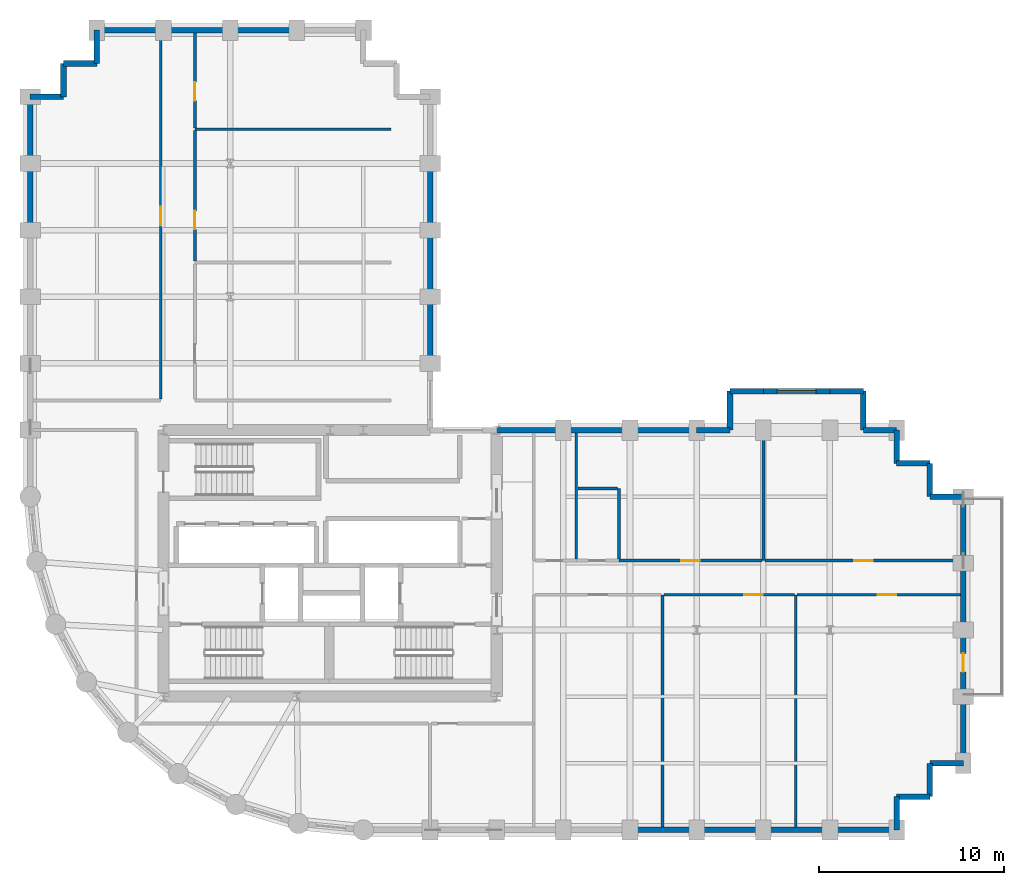
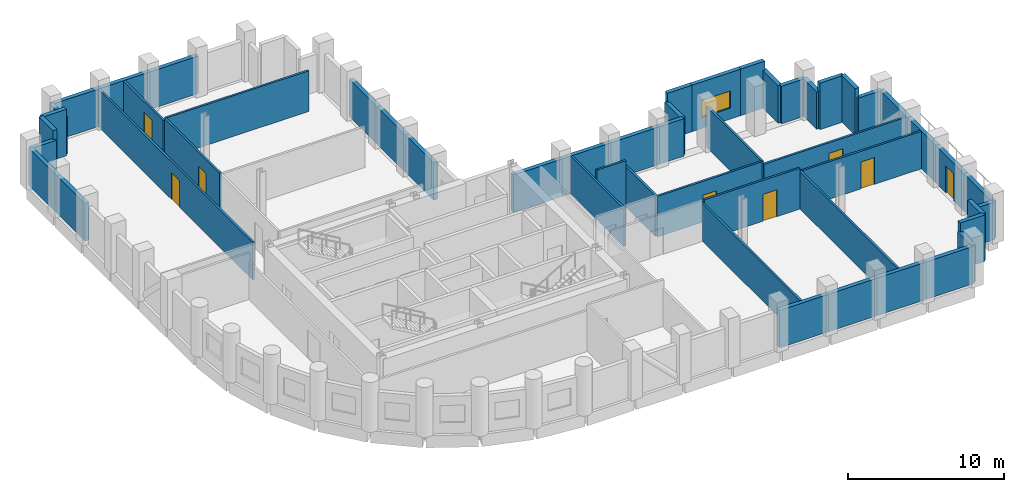
# One storey, part 5 of 8: 52 walls, 8 doors, 1 window, 9 openings.
"""IFC4 building model written with IfcOpenShell, lengths in metres."""

from ifc_helpers import new_model, si_unit, direction, frame, frame_2d, origin, place, context, subcontext, project, spatial, rectangle, extrude, material, layer, layer_set, type_object, element, fill, save


model = new_model("IFC4")

# Units and contexts
model_context = context("Model", 3, precision=1e-05, world=origin(), true_north=direction((0.0, 1.0)))
body_context = subcontext(model_context, "Body", "Model", "MODEL_VIEW")
ifc_project = project(units=[si_unit("LENGTHUNIT", "METRE"), si_unit("AREAUNIT", "SQUARE_METRE"), si_unit("VOLUMEUNIT", "CUBIC_METRE"), si_unit("PLANEANGLEUNIT", "RADIAN"), si_unit("MASSUNIT", "GRAM", prefix="KILO")], contexts=[model_context])

# Site, building, storey
site_placement = place(None, origin())
site = spatial("IfcSite", under=ifc_project, at=site_placement, CompositionType="ELEMENT")
building_placement = place(site_placement, origin())
building = spatial("IfcBuilding", under=site, at=building_placement, Name="Solnavia Interchange Tower", CompositionType="ELEMENT")
storey_placement = place(building_placement, frame((0.0, 0.0, 107.39990234375)))
storey = spatial("IfcBuildingStorey", under=building, at=storey_placement, Name="L26", CompositionType="ELEMENT", Elevation=107.39990234375)

# Walls
ifc_material_1 = material(Name="Concrete C40/50", Category="concrete")
ifc_layer_1 = layer(ifc_material_1, 0.300048828125)
ifc_layer_set_1 = layer_set([ifc_layer_1], Name="Concrete C40/50")
wall_type_1 = type_object("IfcWallType", Name="Wall-ExtSpandrel-300", PredefinedType="STANDARD", material=ifc_layer_set_1)
wall_1_placement = place(storey_placement, frame((43.199951171875, 3.60009765625, 0.0), z_axis=(0.0, 0.0, 1.0), x_axis=(-1.0, 0.0, 0.0)))
element("IfcWall", 1, at=wall_1_placement, inside=storey, type_object=wall_type_1, Name="EXW-L26-05 Exterior precast spandrel wall", PredefinedType="STANDARD", context=body_context, shape_type="SweptSolid", body=[
    extrude(rectangle(XDim=3.599853515625, YDim=0.300048828125, at=frame_2d((1.7998046875, 0.0))), origin(), (0.0, 0.0, 1.0), 2.93017578125),
])
wall_2_placement = place(storey_placement, frame((46.800048828125, 3.60009765625, 0.0), z_axis=(0.0, 0.0, 1.0), x_axis=(-1.0, 0.0, 0.0)))
element("IfcWall", 2, at=wall_2_placement, inside=storey, type_object=wall_type_1, Name="EXW-L26-06 Exterior precast spandrel wall", PredefinedType="STANDARD", context=body_context, shape_type="SweptSolid", body=[
    extrude(rectangle(XDim=3.60009765625, YDim=0.300048828125, at=frame_2d((1.800048828125, 0.0))), origin(), (0.0, 0.0, 1.0), 2.93017578125),
])
wall_3_placement = place(storey_placement, frame((50.39990234375, 3.60009765625, 0.0), z_axis=(0.0, 0.0, 1.0), x_axis=(-1.0, 0.0, 0.0)))
element("IfcWall", 3, at=wall_3_placement, inside=storey, type_object=wall_type_1, Name="EXW-L26-07 Exterior precast spandrel wall", PredefinedType="STANDARD", context=body_context, shape_type="SweptSolid", body=[
    extrude(rectangle(XDim=3.599853515625, YDim=0.300048828125, at=frame_2d((1.7998046875, 0.0))), origin(), (0.0, 0.0, 1.0), 2.93017578125),
])
wall_4_placement = place(storey_placement, frame((54.0, 3.60009765625, 0.0), z_axis=(0.0, 0.0, 1.0), x_axis=(-1.0, 0.0, 0.0)))
element("IfcWall", 4, at=wall_4_placement, inside=storey, type_object=wall_type_1, Name="EXW-L26-08 Exterior precast spandrel wall", PredefinedType="STANDARD", context=body_context, shape_type="SweptSolid", body=[
    extrude(rectangle(XDim=3.60009765625, YDim=0.300048828125, at=frame_2d((1.800048828125, 0.0))), origin(), (0.0, 0.0, 1.0), 2.93017578125),
])
wall_5_placement = place(storey_placement, frame((54.0, 5.39990234375, 0.0), z_axis=(0.0, 0.0, 1.0), x_axis=(0.0, -1.0, 0.0)))
element("IfcWall", 5, at=wall_5_placement, inside=storey, type_object=wall_type_1, Name="EXW-L26-09 Exterior precast spandrel wall", PredefinedType="STANDARD", context=body_context, shape_type="SweptSolid", body=[
    extrude(rectangle(XDim=1.7998046875, YDim=0.300048828125, at=frame_2d((0.89990234375, 0.0))), origin(), (0.0, 0.0, 1.0), 2.93017578125),
])
for number, where, z_axis, x_axis, name in (
    (6, (55.800048828125, 5.39990234375, 0.0), (0.0, 0.0, 1.0), (-1.0, 0.0, 0.0), "EXW-L26-10 Exterior precast spandrel wall"),
    (7, (55.800048828125, 7.199951171875, 0.0), (0.0, 0.0, 1.0), (0.0, -1.0, 0.0), "EXW-L26-11 Exterior precast spandrel wall"),
):
    element("IfcWall", number, at=place(storey_placement, frame(where, z_axis=z_axis, x_axis=x_axis)), inside=storey, type_object=wall_type_1, Name=name, PredefinedType="STANDARD", context=body_context, shape_type="SweptSolid", body=[
        extrude(rectangle(XDim=1.800048828125, YDim=0.300048828125, at=frame_2d((0.89990234375, 0.0))), origin(), (0.0, 0.0, 1.0), 3.635009765625),
    ])
wall_6_placement = place(storey_placement, frame((57.60009765625, 7.199951171875, 0.0), z_axis=(0.0, 0.0, 1.0), x_axis=(-1.0, 0.0, 0.0)))
element("IfcWall", 8, at=wall_6_placement, inside=storey, type_object=wall_type_1, Name="EXW-L26-12 Exterior precast spandrel wall", PredefinedType="STANDARD", context=body_context, shape_type="SweptSolid", body=[
    extrude(rectangle(XDim=1.800048828125, YDim=0.300048828125, at=frame_2d((0.89990234375, 0.0))), origin(), (0.0, 0.0, 1.0), 2.93017578125),
])
wall_7_placement = place(storey_placement, frame((57.60009765625, 10.800048828125, 0.0), z_axis=(0.0, 0.0, 1.0), x_axis=(0.0, -1.0, 0.0)))
element("IfcWall", 9, at=wall_7_placement, inside=storey, type_object=wall_type_1, Name="EXW-L26-13 Exterior precast spandrel wall", PredefinedType="STANDARD", context=body_context, shape_type="SweptSolid", body=[
    extrude(rectangle(XDim=3.60009765625, YDim=0.300048828125, at=frame_2d((1.800048828125, 0.0))), origin(), (0.0, 0.0, 1.0), 2.93017578125),
])

# Wall, opening, door
wall_8_placement = place(storey_placement, frame((57.60009765625, 14.39990234375, 0.0), z_axis=(0.0, 0.0, 1.0), x_axis=(0.0, -1.0, 0.0)))
wall_8 = element("IfcWall", 10, at=wall_8_placement, inside=storey, type_object=wall_type_1, Name="EXW-L26-14 Exterior precast spandrel wall", PredefinedType="STANDARD", context=body_context, shape_type="SweptSolid", body=[
    extrude(rectangle(XDim=3.599853515625, YDim=0.300048828125, at=frame_2d((1.7998046875, 0.0))), origin(), (0.0, 0.0, 1.0), 2.93017578125),
])
opening_1_placement = place(wall_8_placement, frame((1.260986328125, 0.0, 0.0)))
opening_1 = element("IfcOpeningElement", 11, at=opening_1_placement, cuts=wall_8, Name="Opening EXD-05", PredefinedType="OPENING", context=body_context, shape_type="SweptSolid", body=[
    extrude(rectangle(XDim=1.0, YDim=2.10009765625, at=frame_2d((0.5, 1.050048828125))), frame((0.0, 0.16015625, 0.0), z_axis=(0.0, -1.0, 0.0), x_axis=(1.0, 0.0, 0.0)), (0.0, 0.0, 1.0), 0.320068359375),
])
ifc_material_2 = material(Name="Thermally Broken Aluminium & Laminated Glass", Category="aluminium")
door_type_1 = type_object("IfcDoorType", Name="Door-TerraceSingle-1000x2100", OperationType="SINGLE_SWING_LEFT", PredefinedType="DOOR", material=ifc_material_2)
door_1_placement = place(opening_1_placement, origin())
door_1 = element("IfcDoor", 12, at=door_1_placement, inside=storey, type_object=door_type_1, Name="EXD-L26-TER Spiral terrace glazed door", OperationType="SINGLE_SWING_LEFT", OverallHeight=2.10009765625, OverallWidth=1.0, PredefinedType="DOOR", context=body_context, shape_type="SweptSolid", body=[
    extrude(rectangle(XDim=1.0, YDim=2.10009765625, at=frame_2d((0.5, 1.050048828125))), frame((0.0, 0.02490234375, 0.0), z_axis=(0.0, -1.0, 0.0), x_axis=(1.0, 0.0, 0.0)), (0.0, 0.0, 1.0), 0.050048828125),
])
fill(opening_1, door_1)

# Walls
for number, where, z_axis, x_axis, name in (
    (13, (57.60009765625, 18.0, 0.0), (0.0, 0.0, 1.0), (0.0, -1.0, 0.0), "EXW-L26-15 Exterior precast spandrel wall"),
    (14, (57.60009765625, 21.60009765625, 0.0), (0.0, 0.0, 1.0), (0.0, -1.0, 0.0), "EXW-L26-16 Exterior precast spandrel wall"),
):
    element("IfcWall", number, at=place(storey_placement, frame(where, z_axis=z_axis, x_axis=x_axis)), inside=storey, type_object=wall_type_1, Name=name, PredefinedType="STANDARD", context=body_context, shape_type="SweptSolid", body=[
        extrude(rectangle(XDim=3.60009765625, YDim=0.300048828125, at=frame_2d((1.800048828125, 0.0))), origin(), (0.0, 0.0, 1.0), 2.93017578125),
    ])
wall_9_placement = place(storey_placement, frame((55.800048828125, 21.60009765625, 0.0), z_axis=(0.0, 0.0, 1.0), x_axis=(1.0, 0.0, 0.0)))
element("IfcWall", 15, at=wall_9_placement, inside=storey, type_object=wall_type_1, Name="EXW-L26-17 Exterior precast spandrel wall", PredefinedType="STANDARD", context=body_context, shape_type="SweptSolid", body=[
    extrude(rectangle(XDim=1.800048828125, YDim=0.300048828125, at=frame_2d((0.89990234375, 0.0))), origin(), (0.0, 0.0, 1.0), 2.93017578125),
])
wall_10_placement = place(storey_placement, frame((55.800048828125, 23.39990234375, 0.0), z_axis=(0.0, 0.0, 1.0), x_axis=(0.0, -1.0, 0.0)))
element("IfcWall", 16, at=wall_10_placement, inside=storey, type_object=wall_type_1, Name="EXW-L26-18 Exterior precast spandrel wall", PredefinedType="STANDARD", context=body_context, shape_type="SweptSolid", body=[
    extrude(rectangle(XDim=1.7998046875, YDim=0.300048828125, at=frame_2d((0.89990234375, 0.0))), origin(), (0.0, 0.0, 1.0), 3.635009765625),
])
wall_11_placement = place(storey_placement, frame((54.0, 23.39990234375, 0.0), z_axis=(0.0, 0.0, 1.0), x_axis=(1.0, 0.0, 0.0)))
element("IfcWall", 17, at=wall_11_placement, inside=storey, type_object=wall_type_1, Name="EXW-L26-19 Exterior precast spandrel wall", PredefinedType="STANDARD", context=body_context, shape_type="SweptSolid", body=[
    extrude(rectangle(XDim=1.800048828125, YDim=0.300048828125, at=frame_2d((0.89990234375, 0.0))), origin(), (0.0, 0.0, 1.0), 3.635009765625),
])
for number, where, z_axis, x_axis, name in (
    (18, (54.0, 25.199951171875, 0.0), (0.0, 0.0, 1.0), (0.0, -1.0, 0.0), "EXW-L26-20 Exterior precast spandrel wall"),
    (19, (52.199951171875, 25.199951171875, 0.0), (0.0, 0.0, 1.0), (1.0, 0.0, 0.0), "EXW-L26-21 Exterior precast spandrel wall"),
):
    element("IfcWall", number, at=place(storey_placement, frame(where, z_axis=z_axis, x_axis=x_axis)), inside=storey, type_object=wall_type_1, Name=name, PredefinedType="STANDARD", context=body_context, shape_type="SweptSolid", body=[
        extrude(rectangle(XDim=1.800048828125, YDim=0.300048828125, at=frame_2d((0.89990234375, 0.0))), origin(), (0.0, 0.0, 1.0), 2.93017578125),
    ])
wall_12_placement = place(storey_placement, frame((52.199951171875, 27.300048828125, 0.0), z_axis=(0.0, 0.0, 1.0), x_axis=(0.0, -1.0, 0.0)))
element("IfcWall", 20, at=wall_12_placement, inside=storey, type_object=wall_type_1, Name="EXW-L26-22 Exterior precast spandrel wall", PredefinedType="STANDARD", context=body_context, shape_type="SweptSolid", body=[
    extrude(rectangle(XDim=2.10009765625, YDim=0.300048828125, at=frame_2d((1.050048828125, 0.0))), origin(), (0.0, 0.0, 1.0), 2.93017578125),
])
wall_13_placement = place(storey_placement, frame((50.39990234375, 27.300048828125, 0.0), z_axis=(0.0, 0.0, 1.0), x_axis=(1.0, 0.0, 0.0)))
element("IfcWall", 21, at=wall_13_placement, inside=storey, type_object=wall_type_1, Name="EXW-L26-23 Exterior precast spandrel wall", PredefinedType="STANDARD", context=body_context, shape_type="SweptSolid", body=[
    extrude(rectangle(XDim=1.800048828125, YDim=0.300048828125, at=frame_2d((0.89990234375, 0.0))), origin(), (0.0, 0.0, 1.0), 3.635009765625),
])

# Wall, opening, window
wall_14_placement = place(storey_placement, frame((46.800048828125, 27.300048828125, 0.0), z_axis=(0.0, 0.0, 1.0), x_axis=(1.0, 0.0, 0.0)))
wall_14 = element("IfcWall", 22, at=wall_14_placement, inside=storey, type_object=wall_type_1, Name="EXW-L26-24 Exterior precast spandrel wall", PredefinedType="STANDARD", context=body_context, shape_type="SweptSolid", body=[
    extrude(rectangle(XDim=3.599853515625, YDim=0.300048828125, at=frame_2d((1.7998046875, 0.0))), origin(), (0.0, 0.0, 1.0), 3.635009765625),
])
opening_2_placement = place(wall_14_placement, frame((0.75, 0.0, 0.85009765625)))
opening_2 = element("IfcOpeningElement", 23, at=opening_2_placement, cuts=wall_14, Name="Opening WIN-01", PredefinedType="OPENING", context=body_context, shape_type="SweptSolid", body=[
    extrude(rectangle(XDim=2.10009765625, YDim=1.35009765625, at=frame_2d((1.050048828125, 0.675048828125))), frame((0.0, 0.16015625, 0.0), z_axis=(0.0, -1.0, 0.0), x_axis=(1.0, 0.0, 0.0)), (0.0, 0.0, 1.0), 0.320068359375),
])
ifc_material_3 = material(Name="Thermal-Break Aluminium & Low-E Glass", Category="aluminium")
window_type = type_object("IfcWindowType", Name="Window-Ribbon-2100x1350", PartitioningType="SINGLE_PANEL", PredefinedType="WINDOW", material=ifc_material_3)
window_placement = place(opening_2_placement, origin())
window = element("IfcWindow", 24, at=window_placement, inside=storey, type_object=window_type, Name="WIN-L26-24 Facade ribbon window", OverallHeight=1.35009765625, OverallWidth=2.10009765625, PartitioningType="SINGLE_PANEL", PredefinedType="WINDOW", context=body_context, shape_type="SweptSolid", body=[
    extrude(rectangle(XDim=2.10009765625, YDim=1.35009765625, at=frame_2d((1.050048828125, 0.675048828125))), frame((0.0, 0.030029296875, 0.0), z_axis=(0.0, -1.0, 0.0), x_axis=(1.0, 0.0, 0.0)), (0.0, 0.0, 1.0), 0.06005859375),
])
fill(opening_2, window)

# Walls
wall_15_placement = place(storey_placement, frame((45.0, 27.300048828125, 0.0), z_axis=(0.0, 0.0, 1.0), x_axis=(1.0, 0.0, 0.0)))
element("IfcWall", 25, at=wall_15_placement, inside=storey, type_object=wall_type_1, Name="EXW-L26-25 Exterior precast spandrel wall", PredefinedType="STANDARD", context=body_context, shape_type="SweptSolid", body=[
    extrude(rectangle(XDim=1.800048828125, YDim=0.300048828125, at=frame_2d((0.89990234375, 0.0))), origin(), (0.0, 0.0, 1.0), 3.635009765625),
])
wall_16_placement = place(storey_placement, frame((45.0, 27.300048828125, 0.0), z_axis=(0.0, 0.0, 1.0), x_axis=(0.0, -1.0, 0.0)))
element("IfcWall", 26, at=wall_16_placement, inside=storey, type_object=wall_type_1, Name="EXW-L26-26 Exterior precast spandrel wall", PredefinedType="STANDARD", context=body_context, shape_type="SweptSolid", body=[
    extrude(rectangle(XDim=2.10009765625, YDim=0.300048828125, at=frame_2d((1.050048828125, 0.0))), origin(), (0.0, 0.0, 1.0), 2.93017578125),
])
wall_17_placement = place(storey_placement, frame((43.199951171875, 25.199951171875, 0.0), z_axis=(0.0, 0.0, 1.0), x_axis=(1.0, 0.0, 0.0)))
element("IfcWall", 27, at=wall_17_placement, inside=storey, type_object=wall_type_1, Name="EXW-L26-27 Exterior precast spandrel wall", PredefinedType="STANDARD", context=body_context, shape_type="SweptSolid", body=[
    extrude(rectangle(XDim=1.800048828125, YDim=0.300048828125, at=frame_2d((0.89990234375, 0.0))), origin(), (0.0, 0.0, 1.0), 2.93017578125),
])
wall_18_placement = place(storey_placement, frame((39.60009765625, 25.199951171875, 0.0), z_axis=(0.0, 0.0, 1.0), x_axis=(1.0, 0.0, 0.0)))
element("IfcWall", 28, at=wall_18_placement, inside=storey, type_object=wall_type_1, Name="EXW-L26-28 Exterior precast spandrel wall", PredefinedType="STANDARD", context=body_context, shape_type="SweptSolid", body=[
    extrude(rectangle(XDim=3.599853515625, YDim=0.300048828125, at=frame_2d((1.7998046875, 0.0))), origin(), (0.0, 0.0, 1.0), 2.93017578125),
])
for number, where, z_axis, x_axis, name in (
    (29, (36.0, 25.199951171875, 0.0), (0.0, 0.0, 1.0), (1.0, 0.0, 0.0), "EXW-L26-29 Exterior precast spandrel wall"),
    (30, (32.39990234375, 25.199951171875, 0.0), (0.0, 0.0, 1.0), (1.0, 0.0, 0.0), "EXW-L26-30 Exterior precast spandrel wall"),
):
    element("IfcWall", number, at=place(storey_placement, frame(where, z_axis=z_axis, x_axis=x_axis)), inside=storey, type_object=wall_type_1, Name=name, PredefinedType="STANDARD", context=body_context, shape_type="SweptSolid", body=[
        extrude(rectangle(XDim=3.60009765625, YDim=0.300048828125, at=frame_2d((1.800048828125, 0.0))), origin(), (0.0, 0.0, 1.0), 2.93017578125),
    ])
wall_19_placement = place(storey_placement, frame((28.800048828125, 28.800048828125, 0.0), z_axis=(0.0, 0.0, 1.0), x_axis=(0.0, 1.0, 0.0)))
element("IfcWall", 31, at=wall_19_placement, inside=storey, type_object=wall_type_1, Name="EXW-L26-33 Exterior precast spandrel wall", PredefinedType="STANDARD", context=body_context, shape_type="SweptSolid", body=[
    extrude(rectangle(XDim=3.599853515625, YDim=0.300048828125, at=frame_2d((1.7998046875, 0.0))), origin(), (0.0, 0.0, 1.0), 2.93017578125),
])
for number, where, z_axis, x_axis, name in (
    (32, (28.800048828125, 32.39990234375, 0.0), (0.0, 0.0, 1.0), (0.0, 1.0, 0.0), "EXW-L26-34 Exterior precast spandrel wall"),
    (33, (28.800048828125, 36.0, 0.0), (0.0, 0.0, 1.0), (0.0, 1.0, 0.0), "EXW-L26-35 Exterior precast spandrel wall"),
    (34, (18.0, 46.800048828125, 0.0), (0.0, 0.0, 1.0), (1.0, 0.0, 0.0), "EXW-L26-42 Exterior precast spandrel wall"),
    (35, (14.39990234375, 46.800048828125, 0.0), (0.0, 0.0, 1.0), (1.0, 0.0, 0.0), "EXW-L26-43 Exterior precast spandrel wall"),
):
    element("IfcWall", number, at=place(storey_placement, frame(where, z_axis=z_axis, x_axis=x_axis)), inside=storey, type_object=wall_type_1, Name=name, PredefinedType="STANDARD", context=body_context, shape_type="SweptSolid", body=[
        extrude(rectangle(XDim=3.60009765625, YDim=0.300048828125, at=frame_2d((1.800048828125, 0.0))), origin(), (0.0, 0.0, 1.0), 2.93017578125),
    ])
wall_20_placement = place(storey_placement, frame((10.800048828125, 46.800048828125, 0.0), z_axis=(0.0, 0.0, 1.0), x_axis=(1.0, 0.0, 0.0)))
element("IfcWall", 36, at=wall_20_placement, inside=storey, type_object=wall_type_1, Name="EXW-L26-44 Exterior precast spandrel wall", PredefinedType="STANDARD", context=body_context, shape_type="SweptSolid", body=[
    extrude(rectangle(XDim=3.599853515625, YDim=0.300048828125, at=frame_2d((1.7998046875, 0.0))), origin(), (0.0, 0.0, 1.0), 2.93017578125),
])
wall_21_placement = place(storey_placement, frame((10.800048828125, 45.0, 0.0), z_axis=(0.0, 0.0, 1.0), x_axis=(0.0, 1.0, 0.0)))
element("IfcWall", 37, at=wall_21_placement, inside=storey, type_object=wall_type_1, Name="EXW-L26-45 Exterior precast spandrel wall", PredefinedType="STANDARD", context=body_context, shape_type="SweptSolid", body=[
    extrude(rectangle(XDim=1.800048828125, YDim=0.300048828125, at=frame_2d((0.89990234375, 0.0))), origin(), (0.0, 0.0, 1.0), 2.93017578125),
])
for number, where, z_axis, x_axis, name in (
    (38, (9.0, 45.0, 0.0), (0.0, 0.0, 1.0), (1.0, 0.0, 0.0), "EXW-L26-46 Exterior precast spandrel wall"),
    (39, (9.0, 43.199951171875, 0.0), (0.0, 0.0, 1.0), (0.0, 1.0, 0.0), "EXW-L26-47 Exterior precast spandrel wall"),
):
    element("IfcWall", number, at=place(storey_placement, frame(where, z_axis=z_axis, x_axis=x_axis)), inside=storey, type_object=wall_type_1, Name=name, PredefinedType="STANDARD", context=body_context, shape_type="SweptSolid", body=[
        extrude(rectangle(XDim=1.800048828125, YDim=0.300048828125, at=frame_2d((0.89990234375, 0.0))), origin(), (0.0, 0.0, 1.0), 3.635009765625),
    ])
wall_22_placement = place(storey_placement, frame((7.199951171875, 43.199951171875, 0.0), z_axis=(0.0, 0.0, 1.0), x_axis=(1.0, 0.0, 0.0)))
element("IfcWall", 40, at=wall_22_placement, inside=storey, type_object=wall_type_1, Name="EXW-L26-48 Exterior precast spandrel wall", PredefinedType="STANDARD", context=body_context, shape_type="SweptSolid", body=[
    extrude(rectangle(XDim=1.800048828125, YDim=0.300048828125, at=frame_2d((0.89990234375, 0.0))), origin(), (0.0, 0.0, 1.0), 2.93017578125),
])
wall_23_placement = place(storey_placement, frame((7.199951171875, 39.60009765625, 0.0), z_axis=(0.0, 0.0, 1.0), x_axis=(0.0, 1.0, 0.0)))
element("IfcWall", 41, at=wall_23_placement, inside=storey, type_object=wall_type_1, Name="EXW-L26-49 Exterior precast spandrel wall", PredefinedType="STANDARD", context=body_context, shape_type="SweptSolid", body=[
    extrude(rectangle(XDim=3.599853515625, YDim=0.300048828125, at=frame_2d((1.7998046875, 0.0))), origin(), (0.0, 0.0, 1.0), 2.93017578125),
])
wall_24_placement = place(storey_placement, frame((7.199951171875, 36.0, 0.0), z_axis=(0.0, 0.0, 1.0), x_axis=(0.0, 1.0, 0.0)))
element("IfcWall", 42, at=wall_24_placement, inside=storey, type_object=wall_type_1, Name="EXW-L26-50 Exterior precast spandrel wall", PredefinedType="STANDARD", context=body_context, shape_type="SweptSolid", body=[
    extrude(rectangle(XDim=3.60009765625, YDim=0.300048828125, at=frame_2d((1.800048828125, 0.0))), origin(), (0.0, 0.0, 1.0), 2.93017578125),
])
ifc_material_4 = material(Name="Gypsum Plasterboard & Steel Stud", Category="steel")
ifc_layer_2 = layer(ifc_material_4, 0.14990234375)
ifc_layer_set_2 = layer_set([ifc_layer_2], Name="Gypsum Plasterboard & Steel Stud")
wall_type_2 = type_object("IfcWallType", Name="Wall-Partition-150", PredefinedType="PARTITIONING", material=ifc_layer_set_2)
for number, where, z_axis, x_axis, name in (
    (43, (41.35009765625, 3.75390625, 0.0), (0.0, 0.0, 1.0), (0.0, 1.0, 0.0), "PTW-L26-13 Interior partition wall"),
    (44, (48.550048828125, 3.75390625, 0.0), (0.0, 0.0, 1.0), (0.0, 1.0, 0.0), "PTW-L26-15 Interior partition wall"),
):
    element("IfcWall", number, at=place(storey_placement, frame(where, z_axis=z_axis, x_axis=x_axis)), inside=storey, type_object=wall_type_2, Name=name, PredefinedType="PARTITIONING", context=body_context, shape_type="SweptSolid", body=[
        extrude(rectangle(XDim=12.546142578125, YDim=0.14990234375, at=frame_2d((6.27294921875, 0.0))), origin(), (0.0, 0.0, 1.0), 2.93017578125),
    ])

# Wall, opening, door
wall_25_placement = place(storey_placement, frame((41.428955078125, 16.300048828125, 0.0), z_axis=(0.0, 0.0, 1.0), x_axis=(1.0, 0.0, 0.0)))
wall_25 = element("IfcWall", 45, at=wall_25_placement, inside=storey, type_object=wall_type_2, Name="PTW-L26-16 Interior partition wall", PredefinedType="PARTITIONING", context=body_context, shape_type="SweptSolid", body=[
    extrude(rectangle(XDim=7.0419921875, YDim=0.14990234375, at=frame_2d((3.52099609375, 0.0))), origin(), (0.0, 0.0, 1.0), 3.190185546875),
])
opening_3_placement = place(wall_25_placement, frame((4.3310546875, 0.0, 0.0)))
opening_3 = element("IfcOpeningElement", 46, at=opening_3_placement, cuts=wall_25, Name="Opening DR-07", PredefinedType="OPENING", context=body_context, shape_type="SweptSolid", body=[
    extrude(rectangle(XDim=1.0, YDim=2.10009765625, at=frame_2d((0.5, 1.050048828125))), frame((0.0, 0.0849609375, 0.0), z_axis=(0.0, -1.0, 0.0), x_axis=(1.0, 0.0, 0.0)), (0.0, 0.0, 1.0), 0.169921875),
])
ifc_material_5 = material(Name="Timber & Acoustic Glazed Office Door", Category="wood")
door_type_2 = type_object("IfcDoorType", Name="Door-Office-1000x2100", OperationType="SINGLE_SWING_RIGHT", PredefinedType="DOOR", material=ifc_material_5)
door_2_placement = place(opening_3_placement, origin())
door_2 = element("IfcDoor", 47, at=door_2_placement, inside=storey, type_object=door_type_2, Name="DR-L26-06 Interior room door", OperationType="SINGLE_SWING_RIGHT", OverallHeight=2.10009765625, OverallWidth=1.0, PredefinedType="DOOR", context=body_context, shape_type="SweptSolid", body=[
    extrude(rectangle(XDim=1.0, YDim=2.10009765625, at=frame_2d((0.5, 1.050048828125))), frame((0.0, 0.02490234375, 0.0), z_axis=(0.0, -1.0, 0.0), x_axis=(1.0, 0.0, 0.0)), (0.0, 0.0, 1.0), 0.050048828125),
])
fill(opening_3, door_2)

wall_26_placement = place(storey_placement, frame((48.62890625, 16.300048828125, 0.0), z_axis=(0.0, 0.0, 1.0), x_axis=(1.0, 0.0, 0.0)))
wall_26 = element("IfcWall", 48, at=wall_26_placement, inside=storey, type_object=wall_type_2, Name="PTW-L26-17 Interior partition wall", PredefinedType="PARTITIONING", context=body_context, shape_type="SweptSolid", body=[
    extrude(rectangle(XDim=8.817138671875, YDim=0.14990234375, at=frame_2d((4.40869140625, 0.0))), origin(), (0.0, 0.0, 1.0), 2.93017578125),
])
opening_4_placement = place(wall_26_placement, frame((4.343994140625, 0.0, 0.0)))
opening_4 = element("IfcOpeningElement", 49, at=opening_4_placement, cuts=wall_26, Name="Opening DR-07", PredefinedType="OPENING", context=body_context, shape_type="SweptSolid", body=[
    extrude(rectangle(XDim=1.0, YDim=2.10009765625, at=frame_2d((0.5, 1.050048828125))), frame((0.0, 0.0849609375, 0.0), z_axis=(0.0, -1.0, 0.0), x_axis=(1.0, 0.0, 0.0)), (0.0, 0.0, 1.0), 0.169921875),
])
door_3_placement = place(opening_4_placement, origin())
door_3 = element("IfcDoor", 50, at=door_3_placement, inside=storey, type_object=door_type_2, Name="DR-L26-07 Interior room door", OperationType="SINGLE_SWING_LEFT", OverallHeight=2.10009765625, OverallWidth=1.0, PredefinedType="DOOR", context=body_context, shape_type="SweptSolid", body=[
    extrude(rectangle(XDim=1.0, YDim=2.10009765625, at=frame_2d((0.5, 1.050048828125))), frame((0.0, 0.02490234375, 0.0), z_axis=(0.0, -1.0, 0.0), x_axis=(1.0, 0.0, 0.0)), (0.0, 0.0, 1.0), 0.050048828125),
])
fill(opening_4, door_3)

# Wall
wall_27_placement = place(storey_placement, frame((46.81005859375, 18.14990234375, 0.0), z_axis=(0.0, 0.0, 1.0), x_axis=(0.0, 1.0, 0.0)))
element("IfcWall", 51, at=wall_27_placement, inside=storey, type_object=wall_type_2, Name="PTW-L26-18 Interior partition wall", PredefinedType="PARTITIONING", context=body_context, shape_type="SweptSolid", body=[
    extrude(rectangle(XDim=7.050048828125, YDim=0.14990234375, at=frame_2d((3.52490234375, 0.0))), origin(), (0.0, 0.0, 1.0), 3.190185546875),
])

# Wall, opening, door
wall_28_placement = place(storey_placement, frame((39.0, 18.14990234375, 0.0), z_axis=(0.0, 0.0, 1.0), x_axis=(1.0, 0.0, 0.0)))
wall_28 = element("IfcWall", 52, at=wall_28_placement, inside=storey, type_object=wall_type_2, Name="PTW-L26-19 Interior partition wall", PredefinedType="PARTITIONING", context=body_context, shape_type="SweptSolid", body=[
    extrude(rectangle(XDim=7.73095703125, YDim=0.14990234375, at=frame_2d((3.865478515625, 0.0))), origin(), (0.0, 0.0, 1.0), 3.18017578125),
])
opening_5_placement = place(wall_28_placement, frame((3.364990234375, 0.0, 0.0)))
opening_5 = element("IfcOpeningElement", 53, at=opening_5_placement, cuts=wall_28, Name="Opening DR-07", PredefinedType="OPENING", context=body_context, shape_type="SweptSolid", body=[
    extrude(rectangle(XDim=1.0, YDim=2.10009765625, at=frame_2d((0.5, 1.050048828125))), frame((0.0, 0.0849609375, 0.0), z_axis=(0.0, -1.0, 0.0), x_axis=(1.0, 0.0, 0.0)), (0.0, 0.0, 1.0), 0.169921875),
])
door_4_placement = place(opening_5_placement, origin())
door_4 = element("IfcDoor", 54, at=door_4_placement, inside=storey, type_object=door_type_2, Name="DR-L26-08 Interior room door", OperationType="SINGLE_SWING_RIGHT", OverallHeight=2.10009765625, OverallWidth=1.0, PredefinedType="DOOR", context=body_context, shape_type="SweptSolid", body=[
    extrude(rectangle(XDim=1.0, YDim=2.10009765625, at=frame_2d((0.5, 1.050048828125))), frame((0.0, 0.02490234375, 0.0), z_axis=(0.0, -1.0, 0.0), x_axis=(1.0, 0.0, 0.0)), (0.0, 0.0, 1.0), 0.050048828125),
])
fill(opening_5, door_4)

wall_29_placement = place(storey_placement, frame((46.888916015625, 18.14990234375, 0.0), z_axis=(0.0, 0.0, 1.0), x_axis=(1.0, 0.0, 0.0)))
wall_29 = element("IfcWall", 55, at=wall_29_placement, inside=storey, type_object=wall_type_2, Name="PTW-L26-20 Interior partition wall", PredefinedType="PARTITIONING", context=body_context, shape_type="SweptSolid", body=[
    extrude(rectangle(XDim=10.55712890625, YDim=0.14990234375, at=frame_2d((5.278564453125, 0.0))), origin(), (0.0, 0.0, 1.0), 2.93017578125),
])
opening_6_placement = place(wall_29_placement, frame((4.81591796875, 0.0, 0.0)))
opening_6 = element("IfcOpeningElement", 56, at=opening_6_placement, cuts=wall_29, Name="Opening DR-07", PredefinedType="OPENING", context=body_context, shape_type="SweptSolid", body=[
    extrude(rectangle(XDim=1.0, YDim=2.10009765625, at=frame_2d((0.5, 1.050048828125))), frame((0.0, 0.0849609375, 0.0), z_axis=(0.0, -1.0, 0.0), x_axis=(1.0, 0.0, 0.0)), (0.0, 0.0, 1.0), 0.169921875),
])
door_5_placement = place(opening_6_placement, origin())
door_5 = element("IfcDoor", 57, at=door_5_placement, inside=storey, type_object=door_type_2, Name="DR-L26-09 Interior room door", OperationType="SINGLE_SWING_RIGHT", OverallHeight=2.10009765625, OverallWidth=1.0, PredefinedType="DOOR", context=body_context, shape_type="SweptSolid", body=[
    extrude(rectangle(XDim=1.0, YDim=2.10009765625, at=frame_2d((0.5, 1.050048828125))), frame((0.0, 0.02490234375, 0.0), z_axis=(0.0, -1.0, 0.0), x_axis=(1.0, 0.0, 0.0)), (0.0, 0.0, 1.0), 0.050048828125),
])
fill(opening_6, door_5)

wall_30_placement = place(storey_placement, frame((14.25, 26.87890625, 0.0), z_axis=(0.0, 0.0, 1.0), x_axis=(0.0, 1.0, 0.0)))
wall_30 = element("IfcWall", 58, at=wall_30_placement, inside=storey, type_object=wall_type_2, Name="PTW-L26-22 Interior partition wall", PredefinedType="PARTITIONING", context=body_context, shape_type="SweptSolid", body=[
    extrude(rectangle(XDim=19.76708984375, YDim=0.14990234375, at=frame_2d((9.883544921875, 0.0))), origin(), (0.0, 0.0, 1.0), 2.93017578125),
])
opening_7_placement = place(wall_30_placement, frame((9.381103515625, 0.0, 0.0)))
opening_7 = element("IfcOpeningElement", 59, at=opening_7_placement, cuts=wall_30, Name="Opening DR-07", PredefinedType="OPENING", context=body_context, shape_type="SweptSolid", body=[
    extrude(rectangle(XDim=1.0, YDim=2.10009765625, at=frame_2d((0.5, 1.050048828125))), frame((0.0, 0.0849609375, 0.0), z_axis=(0.0, -1.0, 0.0), x_axis=(1.0, 0.0, 0.0)), (0.0, 0.0, 1.0), 0.169921875),
])
door_6_placement = place(opening_7_placement, origin())
door_6 = element("IfcDoor", 60, at=door_6_placement, inside=storey, type_object=door_type_2, Name="DR-L26-10 Interior room door", OperationType="SINGLE_SWING_RIGHT", OverallHeight=2.10009765625, OverallWidth=1.0, PredefinedType="DOOR", context=body_context, shape_type="SweptSolid", body=[
    extrude(rectangle(XDim=1.0, YDim=2.10009765625, at=frame_2d((0.5, 1.050048828125))), frame((0.0, 0.02490234375, 0.0), z_axis=(0.0, -1.0, 0.0), x_axis=(1.0, 0.0, 0.0)), (0.0, 0.0, 1.0), 0.050048828125),
])
fill(opening_7, door_6)

# Wall
wall_31_placement = place(storey_placement, frame((16.10009765625, 41.449951171875, 0.0), z_axis=(0.0, 0.0, 1.0), x_axis=(1.0, 0.0, 0.0)))
element("IfcWall", 61, at=wall_31_placement, inside=storey, type_object=wall_type_2, Name="PTW-L26-26 Interior partition wall", PredefinedType="PARTITIONING", context=body_context, shape_type="SweptSolid", body=[
    extrude(rectangle(XDim=10.599853515625, YDim=0.14990234375, at=frame_2d((5.2998046875, 0.0))), origin(), (0.0, 0.0, 1.0), 3.18017578125),
])

# Wall, opening, door
wall_32_placement = place(storey_placement, frame((16.10009765625, 34.3291015625, 0.0), z_axis=(0.0, 0.0, 1.0), x_axis=(0.0, 1.0, 0.0)))
wall_32 = element("IfcWall", 62, at=wall_32_placement, inside=storey, type_object=wall_type_2, Name="PTW-L26-27 Interior partition wall", PredefinedType="PARTITIONING", context=body_context, shape_type="SweptSolid", body=[
    extrude(rectangle(XDim=7.0419921875, YDim=0.14990234375, at=frame_2d((3.52099609375, 0.0))), origin(), (0.0, 0.0, 1.0), 3.190185546875),
])
opening_8_placement = place(wall_32_placement, frame((1.7109375, 0.0, 0.0)))
opening_8 = element("IfcOpeningElement", 63, at=opening_8_placement, cuts=wall_32, Name="Opening DR-07", PredefinedType="OPENING", context=body_context, shape_type="SweptSolid", body=[
    extrude(rectangle(XDim=1.0, YDim=2.10009765625, at=frame_2d((0.5, 1.050048828125))), frame((0.0, 0.0849609375, 0.0), z_axis=(0.0, -1.0, 0.0), x_axis=(1.0, 0.0, 0.0)), (0.0, 0.0, 1.0), 0.169921875),
])
door_7_placement = place(opening_8_placement, origin())
door_7 = element("IfcDoor", 64, at=door_7_placement, inside=storey, type_object=door_type_2, Name="DR-L26-12 Interior room door", OperationType="SINGLE_SWING_LEFT", OverallHeight=2.10009765625, OverallWidth=1.0, PredefinedType="DOOR", context=body_context, shape_type="SweptSolid", body=[
    extrude(rectangle(XDim=1.0, YDim=2.10009765625, at=frame_2d((0.5, 1.050048828125))), frame((0.0, 0.02490234375, 0.0), z_axis=(0.0, -1.0, 0.0), x_axis=(1.0, 0.0, 0.0)), (0.0, 0.0, 1.0), 0.050048828125),
])
fill(opening_8, door_7)

wall_33_placement = place(storey_placement, frame((16.10009765625, 41.529052734375, 0.0), z_axis=(0.0, 0.0, 1.0), x_axis=(0.0, 1.0, 0.0)))
wall_33 = element("IfcWall", 65, at=wall_33_placement, inside=storey, type_object=wall_type_2, Name="PTW-L26-28 Interior partition wall", PredefinedType="PARTITIONING", context=body_context, shape_type="SweptSolid", body=[
    extrude(rectangle(XDim=5.116943359375, YDim=0.14990234375, at=frame_2d((2.55859375, 0.0))), origin(), (0.0, 0.0, 1.0), 2.93017578125),
])
opening_9_placement = place(wall_33_placement, frame((1.465087890625, 0.0, 0.0)))
opening_9 = element("IfcOpeningElement", 66, at=opening_9_placement, cuts=wall_33, Name="Opening DR-07", PredefinedType="OPENING", context=body_context, shape_type="SweptSolid", body=[
    extrude(rectangle(XDim=1.0, YDim=2.10009765625, at=frame_2d((0.5, 1.050048828125))), frame((0.0, 0.0849609375, 0.0), z_axis=(0.0, -1.0, 0.0), x_axis=(1.0, 0.0, 0.0)), (0.0, 0.0, 1.0), 0.169921875),
])
door_8_placement = place(opening_9_placement, origin())
door_8 = element("IfcDoor", 67, at=door_8_placement, inside=storey, type_object=door_type_2, Name="DR-L26-13 Interior room door", OperationType="SINGLE_SWING_LEFT", OverallHeight=2.10009765625, OverallWidth=1.0, PredefinedType="DOOR", context=body_context, shape_type="SweptSolid", body=[
    extrude(rectangle(XDim=1.0, YDim=2.10009765625, at=frame_2d((0.5, 1.050048828125))), frame((0.0, 0.02490234375, 0.0), z_axis=(0.0, -1.0, 0.0), x_axis=(1.0, 0.0, 0.0)), (0.0, 0.0, 1.0), 0.050048828125),
])
fill(opening_9, door_8)

# Walls
ifc_material_6 = material(Name="Moisture-Resistant Gypsum & Steel Stud", Category="steel")
ifc_layer_3 = layer(ifc_material_6, 0.14990234375)
ifc_layer_set_3 = layer_set([ifc_layer_3], Name="Moisture-Resistant Gypsum & Steel Stud")
wall_type_3 = type_object("IfcWallType", Name="Wall-WetRoom-150", PredefinedType="PARTITIONING", material=ifc_layer_set_3)
wall_34_placement = place(storey_placement, frame((36.699951171875, 18.22900390625, 0.0), z_axis=(0.0, 0.0, 1.0), x_axis=(0.0, 1.0, 0.0)))
element("IfcWall", 68, at=wall_34_placement, inside=storey, type_object=wall_type_3, Name="PTW-L26-03 Interior partition wall", PredefinedType="PARTITIONING", context=body_context, shape_type="SweptSolid", body=[
    extrude(rectangle(XDim=6.81689453125, YDim=0.14990234375, at=frame_2d((3.408447265625, 0.0))), origin(), (0.0, 0.0, 1.0), 2.93017578125),
])
wall_35_placement = place(storey_placement, frame((39.0, 18.22900390625, 0.0), z_axis=(0.0, 0.0, 1.0), x_axis=(0.0, 1.0, 0.0)))
element("IfcWall", 69, at=wall_35_placement, inside=storey, type_object=wall_type_3, Name="PTW-L26-05 Interior partition wall", PredefinedType="PARTITIONING", context=body_context, shape_type="SweptSolid", body=[
    extrude(rectangle(XDim=3.821044921875, YDim=0.14990234375, at=frame_2d((1.91064453125, 0.0))), origin(), (0.0, 0.0, 1.0), 3.18017578125),
])
wall_36_placement = place(storey_placement, frame((36.779052734375, 22.050048828125, 0.0), z_axis=(0.0, 0.0, 1.0), x_axis=(1.0, 0.0, 0.0)))
element("IfcWall", 70, at=wall_36_placement, inside=storey, type_object=wall_type_3, Name="PTW-L26-06 Interior partition wall", PredefinedType="PARTITIONING", context=body_context, shape_type="SweptSolid", body=[
    extrude(rectangle(XDim=2.141845703125, YDim=0.14990234375, at=frame_2d((1.07080078125, 0.0))), origin(), (0.0, 0.0, 1.0), 3.635009765625),
])

save(model, "model.ifc")
